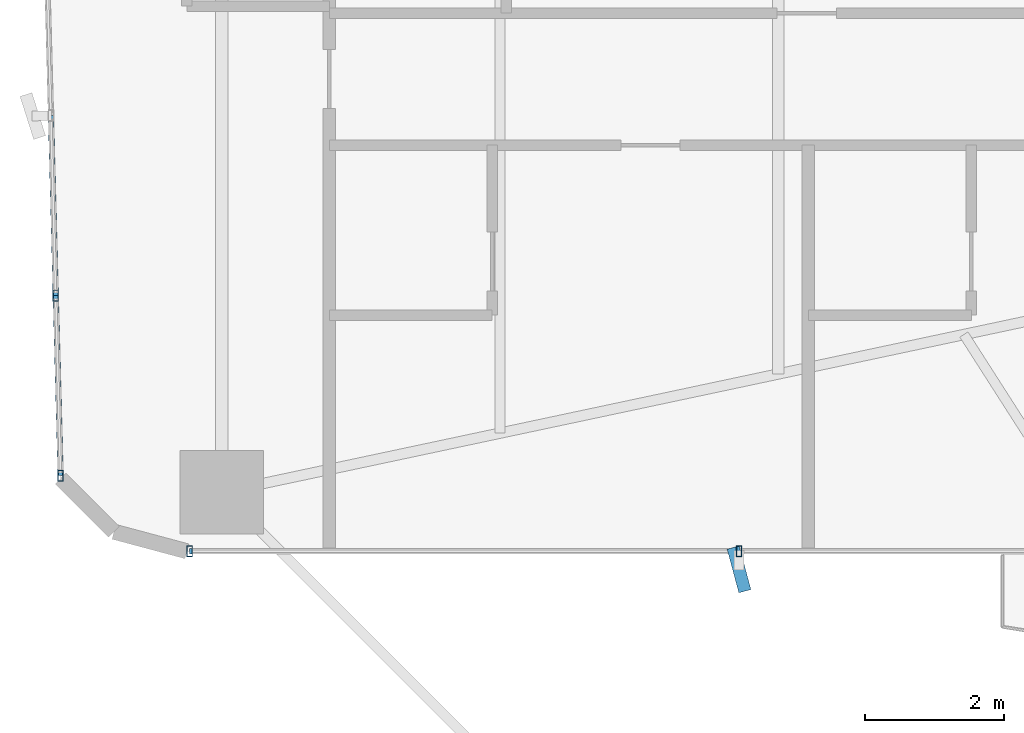
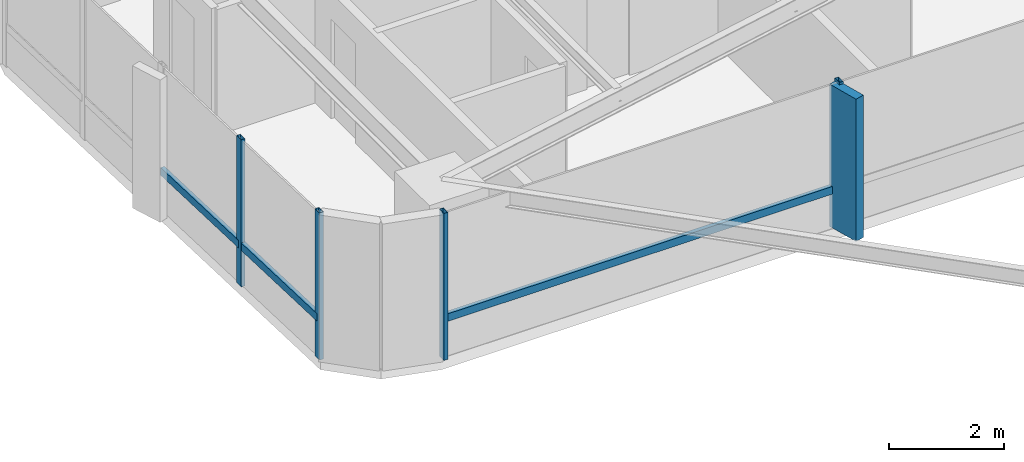
# One storey, part 6 of 25: 8 members, 2 elements without a shape of their own.
"""IFC4 building model written with IfcOpenShell, lengths in metres."""

from ifc_helpers import new_model, si_unit, direction, frame, origin, origin_2d, place, context, subcontext, project, spatial, rectangle, hollow_rectangle, extrude, source, transform, mapped, material, material_profile, profile_set, type_object, element, aggregate, save


model = new_model("IFC4")

# Units and contexts
model_context = context("Model", 3, precision=1e-05, world=origin(), true_north=direction((0.0, 1.0)))
body_context = subcontext(model_context, "Body", "Model", "MODEL_VIEW")
ifc_project = project(units=[si_unit("LENGTHUNIT", "METRE"), si_unit("AREAUNIT", "SQUARE_METRE"), si_unit("VOLUMEUNIT", "CUBIC_METRE"), si_unit("PLANEANGLEUNIT", "RADIAN"), si_unit("MASSUNIT", "GRAM", prefix="KILO")], contexts=[model_context])

# Site, building, storey
site_placement = place(None, origin())
site = spatial("IfcSite", under=ifc_project, at=site_placement, CompositionType="ELEMENT")
building_placement = place(site_placement, origin())
building = spatial("IfcBuilding", under=site, at=building_placement, Name="Sahyath Konkavel Grand Hotel", CompositionType="ELEMENT")
storey_placement = place(building_placement, frame((0.0, 0.0, 67.800048828125)))
storey = spatial("IfcBuildingStorey", under=building, at=storey_placement, Name="L18", CompositionType="ELEMENT", Elevation=67.800048828125)

# Curtain wall, members
ifc_material_1 = material(Name="Anodised Bronze Aluminium & Low-E Glazing", Category="aluminium")
curtain_wall_type = type_object("IfcCurtainWallType", Name="CW-ZONE1", PredefinedType="NOTDEFINED", material=ifc_material_1)
curtain_wall_1_placement = place(storey_placement, origin())
curtain_wall_1 = element("IfcCurtainWall", 1, at=curtain_wall_1_placement, inside=storey, type_object=curtain_wall_type, Name="L18 Unitised Curtain Wall F20", PredefinedType="NOTDEFINED")
ifc_material_2 = material(Name="Anodised Bronze Aluminium", Category="aluminium")
ifc_material_profile_1 = material_profile(ifc_material_2, hollow_rectangle(XDim=0.080078125, YDim=0.159912109375, WallThickness=0.006103515625, at=origin_2d()), Name="RHS 160x80x6")
ifc_profile_set_1 = profile_set([ifc_material_profile_1], Name="Anodised Bronze Aluminium")
member_type_1 = type_object("IfcMemberType", Name="CW-MUL-160", PredefinedType="MULLION", material=ifc_profile_set_1)
shared_shape_1 = source(origin(), body_context, "Body", "SweptSolid", [
    extrude(hollow_rectangle(XDim=0.080078125, YDim=0.159912109375, WallThickness=0.006103515625, at=origin_2d()), origin(), (0.0, 0.0, 1.0), 3.10986328125),
])
member_1_placement = place(storey_placement, frame((-24.589599609375, -3.117431640625, 0.0), z_axis=(0.0, 0.0, 1.0), x_axis=(1.0, 0.0, 0.0)))
member_1 = element("IfcMember", 2, at=member_1_placement, type_object=member_type_1, Name="L18 Curtain Wall Mullion F20-3", PredefinedType="MULLION", context=body_context, shape_type="MappedRepresentation", body=[
    mapped(shared_shape_1, transform((0.0, 0.0, 0.0), scale=1.0)),
])
member_2_placement = place(storey_placement, frame((-24.519775390625, -5.7099609375, 0.0), z_axis=(0.0, 0.0, 1.0), x_axis=(1.0, 0.0, 0.0)))
member_2 = element("IfcMember", 3, at=member_2_placement, type_object=member_type_1, Name="L18 Curtain Wall Mullion F20-4", PredefinedType="MULLION", context=body_context, shape_type="MappedRepresentation", body=[
    mapped(shared_shape_1, transform((0.0, 0.0, 0.0), scale=1.0)),
])

curtain_wall_2_placement = place(storey_placement, origin())
curtain_wall_2 = element("IfcCurtainWall", 4, at=curtain_wall_2_placement, inside=storey, type_object=curtain_wall_type, Name="L18 Unitised Curtain Wall F23", PredefinedType="NOTDEFINED")
member_3_placement = place(storey_placement, frame((-22.659912109375, -6.800048828125, 0.0), z_axis=(0.0, 0.0, 1.0), x_axis=(1.0, 0.0, 0.0)))
member_3 = element("IfcMember", 5, at=member_3_placement, type_object=member_type_1, Name="L18 Curtain Wall Mullion F23-0", PredefinedType="MULLION", context=body_context, shape_type="MappedRepresentation", body=[
    mapped(shared_shape_1, transform((0.0, 0.0, 0.0), scale=1.0)),
])
member_4_placement = place(storey_placement, frame((-14.75, -6.800048828125, 0.0), z_axis=(0.0, 0.0, 1.0), x_axis=(1.0, 0.0, 0.0)))
member_4 = element("IfcMember", 6, at=member_4_placement, type_object=member_type_1, Name="L18 Curtain Wall Mullion F23-1", PredefinedType="MULLION", context=body_context, shape_type="MappedRepresentation", body=[
    mapped(shared_shape_1, transform((0.0, 0.0, 0.0), scale=1.0)),
])
ifc_material_3 = material(Name="Warm Buff Sandstone Cladding on Concrete C50/60", Category="masonry")
ifc_material_profile_2 = material_profile(ifc_material_3, rectangle(XDim=0.179931640625, YDim=0.64990234375, at=origin_2d()), Name="FIN 180x650")
ifc_profile_set_2 = profile_set([ifc_material_profile_2], Name="Warm Buff Sandstone Cladding on Concrete C50/60")
member_type_2 = type_object("IfcMemberType", Name="FIN-SANDSTONE-650", PredefinedType="MULLION", material=ifc_profile_set_2)
shared_shape_2 = source(origin(), body_context, "Body", "SweptSolid", [
    extrude(rectangle(XDim=0.179931640625, YDim=0.64990234375, at=origin_2d()), origin(), (0.0, 0.0, 1.0), 3.010009765625),
])
member_5_placement = place(storey_placement, frame((-14.75, -7.06005859375, 0.050048828125), z_axis=(0.0, 0.0, 1.0), x_axis=(0.965744901133, 0.259493325415, 0.0)))
member_5 = element("IfcMember", 7, at=member_5_placement, type_object=member_type_2, Name="L18 Sandstone Vertical Solar Fin FIN F23-1", PredefinedType="MULLION", context=body_context, shape_type="MappedRepresentation", body=[
    mapped(shared_shape_2, transform((0.0, 0.0, 0.0), scale=1.0)),
])
ifc_material_profile_3 = material_profile(ifc_material_2, hollow_rectangle(XDim=0.080078125, YDim=0.159912109375, WallThickness=0.006103515625, at=origin_2d()), Name="RHS 160x80x6")
ifc_profile_set_3 = profile_set([ifc_material_profile_3], Name="Anodised Bronze Aluminium")
member_type_3 = type_object("IfcMemberType", Name="CW-TRN-160", PredefinedType="USERDEFINED", material=ifc_profile_set_3)
shared_shape_3 = source(origin(), body_context, "Body", "SweptSolid", [
    extrude(hollow_rectangle(XDim=0.080078125, YDim=0.159912109375, WallThickness=0.006103515625, at=origin_2d()), origin(), (0.0, 0.0, 1.0), 7.909912109375),
])
member_6_placement = place(storey_placement, frame((-22.659912109375, -6.800048828125, 0.849853515625), z_axis=(1.0, 0.0, 0.0), x_axis=(0.0, 1.0, 0.0)))
member_6 = element("IfcMember", 8, at=member_6_placement, type_object=member_type_3, Name="L18 Curtain Wall Transom F23-0-spandrel", ObjectType="TRANSOM", PredefinedType="USERDEFINED", context=body_context, shape_type="MappedRepresentation", body=[
    mapped(shared_shape_3, transform((0.0, 0.0, 0.0), scale=1.0)),
])
aggregate(curtain_wall_2, [member_3, member_4, member_5, member_6])

# Member
shared_shape_4 = source(origin(), body_context, "Body", "SweptSolid", [
    extrude(hollow_rectangle(XDim=0.080078125, YDim=0.159912109375, WallThickness=0.006103515625, at=origin_2d()), origin(), (0.0, 0.0, 1.0), 2.593505859375),
])
member_7_placement = place(storey_placement, frame((-24.6591796875, -0.52490234375, 0.849853515625), z_axis=(0.02682902444, -0.999640036937, 0.0), x_axis=(0.999640036937, 0.02682902444, 0.0)))
member_7 = element("IfcMember", 9, at=member_7_placement, type_object=member_type_3, Name="L18 Curtain Wall Transom F20-2-spandrel", ObjectType="TRANSOM", PredefinedType="USERDEFINED", context=body_context, shape_type="MappedRepresentation", body=[
    mapped(shared_shape_4, transform((0.0, 0.0, 0.0), scale=1.0)),
])

member_8_placement = place(storey_placement, frame((-24.589599609375, -3.117431640625, 0.849853515625), z_axis=(0.026923093252, -0.999637507825, 0.0), x_axis=(0.999637507825, 0.026923093252, 0.0)))
member_8 = element("IfcMember", 10, at=member_8_placement, type_object=member_type_3, Name="L18 Curtain Wall Transom F20-3-spandrel", ObjectType="TRANSOM", PredefinedType="USERDEFINED", context=body_context, shape_type="MappedRepresentation", body=[
    mapped(shared_shape_4, transform((0.0, 0.0, 0.0), scale=1.0)),
])

aggregate(curtain_wall_1, [member_1, member_2, member_7, member_8])

save(model, "model.ifc")
